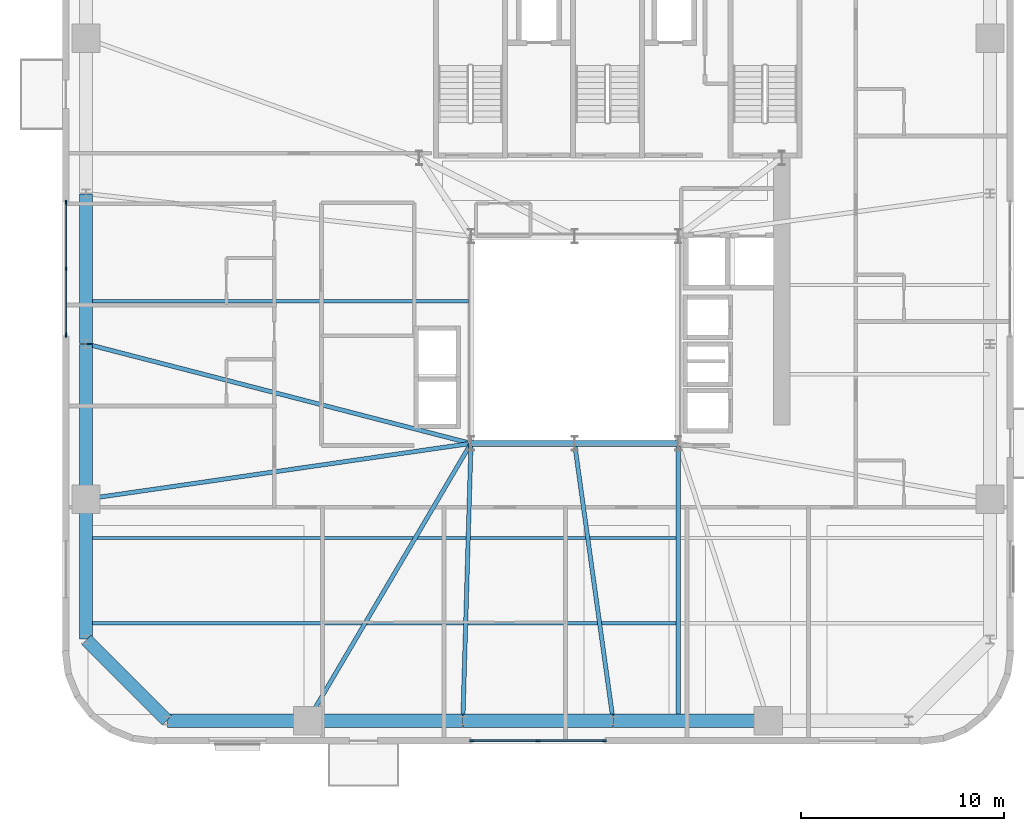
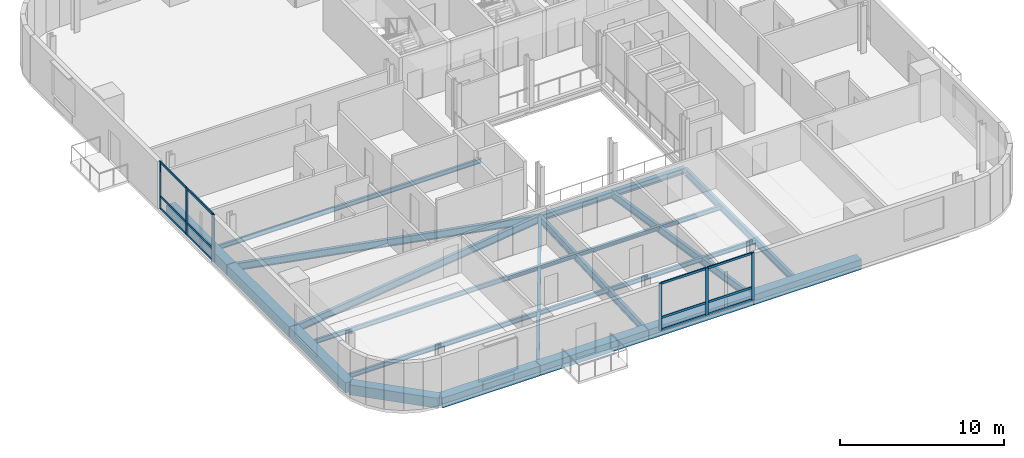
# One storey, part 3 of 16: 19 beams, 18 members, 2 elements without a shape of their own.
"""IFC4 building model written with IfcOpenShell, lengths in metres."""

from ifc_helpers import new_model, si_unit, direction, frame, origin, origin_2d, place, context, subcontext, project, spatial, rectangle, i_section, extrude, source, transform, mapped, material, material_profile, profile_set, type_object, element, aggregate, save


model = new_model("IFC4")

# Units and contexts
model_context = context("Model", 3, precision=1e-05, world=origin(), true_north=direction((0.0, 1.0)))
body_context = subcontext(model_context, "Body", "Model", "MODEL_VIEW")
ifc_project = project(units=[si_unit("LENGTHUNIT", "METRE"), si_unit("AREAUNIT", "SQUARE_METRE"), si_unit("VOLUMEUNIT", "CUBIC_METRE"), si_unit("PLANEANGLEUNIT", "RADIAN"), si_unit("MASSUNIT", "GRAM", prefix="KILO")], contexts=[model_context])

# Site, building, storey
site_placement = place(None, origin())
site = spatial("IfcSite", under=ifc_project, at=site_placement, CompositionType="ELEMENT")
building_placement = place(site_placement, origin())
building = spatial("IfcBuilding", under=site, at=building_placement, Name="Vardaveli Station Tower", CompositionType="ELEMENT")
storey_placement = place(building_placement, frame((0.0, 0.0, 203.550048828125)))
storey = spatial("IfcBuildingStorey", under=building, at=storey_placement, Name="L52", CompositionType="ELEMENT", Elevation=203.550048828125)

# Beams
ifc_material_1 = material(Name="Structural steel S355J2", Category="steel")
ifc_material_profile_1 = material_profile(ifc_material_1, i_section(OverallWidth=0.300048828125, OverallDepth=0.449951171875, WebThickness=0.013916015625, FlangeThickness=0.02587890625, FilletRadius=0.027099609375, at=origin_2d()), Name="HEB 450")
ifc_profile_set_1 = profile_set([ifc_material_profile_1], Name="Structural steel S355J2")
beam_type_1 = type_object("IfcBeamType", Name="BM-HEB450", PredefinedType="BEAM", material=ifc_profile_set_1)
shared_shape_1 = source(origin(), body_context, "Body", "SweptSolid", [
    extrude(i_section(OverallWidth=0.300048828125, OverallDepth=0.449951171875, WebThickness=0.013916015625, FlangeThickness=0.02587890625, FilletRadius=0.027099609375, at=origin_2d()), origin(), (0.0, 0.0, 1.0), 5.06005859375),
])
beam_1_placement = place(storey_placement, frame((31.219970703125, 16.60009765625, -0.445068359375), z_axis=(1.0, 0.0, 0.0), x_axis=(0.0, 1.0, 0.0)))
element("IfcBeam", 1, at=beam_1_placement, inside=storey, type_object=beam_type_1, Name="ABM-L52-01", PredefinedType="BEAM", context=body_context, shape_type="MappedRepresentation", body=[
    mapped(shared_shape_1, transform((0.0, 0.0, 0.0), scale=1.0)),
])
shared_shape_2 = source(origin(), body_context, "Body", "SweptSolid", [
    extrude(i_section(OverallWidth=0.300048828125, OverallDepth=0.449951171875, WebThickness=0.013916015625, FlangeThickness=0.02587890625, FilletRadius=0.027099609375, at=origin_2d()), origin(), (0.0, 0.0, 1.0), 5.059814453125),
])
beam_2_placement = place(storey_placement, frame((36.320068359375, 16.60009765625, -0.445068359375), z_axis=(1.0, 0.0, 0.0), x_axis=(0.0, 1.0, 0.0)))
element("IfcBeam", 2, at=beam_2_placement, inside=storey, type_object=beam_type_1, Name="ABM-L52-02", PredefinedType="BEAM", context=body_context, shape_type="MappedRepresentation", body=[
    mapped(shared_shape_2, transform((0.0, 0.0, 0.0), scale=1.0)),
])
ifc_material_2 = material(Name="Precast concrete C45/55", Category="concrete")
ifc_material_profile_2 = material_profile(ifc_material_2, rectangle(XDim=0.64990234375, YDim=0.75, at=origin_2d()), Name="LPB 650x750")
ifc_profile_set_2 = profile_set([ifc_material_profile_2], Name="Precast concrete C45/55")
beam_type_2 = type_object("IfcBeamType", Name="BM-LPB-750", PredefinedType="BEAM", material=ifc_profile_set_2)
shared_shape_3 = source(origin(), body_context, "Body", "SweptSolid", [
    extrude(rectangle(XDim=0.64990234375, YDim=0.75, at=origin_2d()), origin(), (0.0, 0.0, 1.0), 7.60009765625),
])
for number, where, z_axis, x_axis, name in (
    (3, (23.179931640625, 2.949951171875, -0.594970703125), (1.0, 0.0, 0.0), (0.0, 1.0, 0.0), "RBM-L52-01"),
    (4, (38.219970703125, 2.949951171875, -0.594970703125), (1.0, 0.0, 0.0), (0.0, 1.0, 0.0), "RBM-L52-03"),
    (5, (12.25, 21.47998046875, -0.594970703125), (0.0, -1.0, 0.0), (1.0, 0.0, 0.0), "RBM-L52-21"),
):
    element("IfcBeam", number, at=place(storey_placement, frame(where, z_axis=z_axis, x_axis=x_axis)), inside=storey, type_object=beam_type_2, Name=name, PredefinedType="BEAM", context=body_context, shape_type="MappedRepresentation", body=[
        mapped(shared_shape_3, transform((0.0, 0.0, 0.0), scale=1.0)),
    ])
shared_shape_4 = source(origin(), body_context, "Body", "SweptSolid", [
    extrude(rectangle(XDim=0.64990234375, YDim=0.75, at=origin_2d()), origin(), (0.0, 0.0, 1.0), 7.35986328125),
])
for number, where, z_axis, x_axis, name in (
    (6, (30.820068359375, 2.949951171875, -0.594970703125), (1.0, 0.0, 0.0), (0.0, 1.0, 0.0), "RBM-L52-02"),
    (7, (12.25, 28.8798828125, -0.594970703125), (0.0, -1.0, 0.0), (1.0, 0.0, 0.0), "RBM-L52-20"),
):
    element("IfcBeam", number, at=place(storey_placement, frame(where, z_axis=z_axis, x_axis=x_axis)), inside=storey, type_object=beam_type_2, Name=name, PredefinedType="BEAM", context=body_context, shape_type="MappedRepresentation", body=[
        mapped(shared_shape_4, transform((0.0, 0.0, 0.0), scale=1.0)),
    ])
shared_shape_5 = source(origin(), body_context, "Body", "SweptSolid", [
    extrude(rectangle(XDim=0.64990234375, YDim=0.75, at=origin_2d()), origin(), (0.0, 0.0, 1.0), 6.869873046875),
])
beam_3_placement = place(storey_placement, frame((16.27001953125, 2.949951171875, -0.594970703125), z_axis=(1.0, 0.0, 0.0), x_axis=(0.0, 1.0, 0.0)))
element("IfcBeam", 8, at=beam_3_placement, inside=storey, type_object=beam_type_2, Name="RBM-L52-24", PredefinedType="BEAM", context=body_context, shape_type="MappedRepresentation", body=[
    mapped(shared_shape_5, transform((0.0, 0.0, 0.0), scale=1.0)),
])
shared_shape_6 = source(origin(), body_context, "Body", "SweptSolid", [
    extrude(rectangle(XDim=0.64990234375, YDim=0.75, at=origin_2d()), origin(), (0.0, 0.0, 1.0), 5.61669921875),
])
beam_4_placement = place(storey_placement, frame((12.26416015625, 6.935791015625, -0.594970703125), z_axis=(0.707106781187, -0.707106781187, 0.0), x_axis=(0.707106781187, 0.707106781187, 0.0)))
element("IfcBeam", 9, at=beam_4_placement, inside=storey, type_object=beam_type_2, Name="RBM-L52-23", PredefinedType="BEAM", context=body_context, shape_type="MappedRepresentation", body=[
    mapped(shared_shape_6, transform((0.0, 0.0, 0.0), scale=1.0)),
])
shared_shape_7 = source(origin(), body_context, "Body", "SweptSolid", [
    extrude(rectangle(XDim=0.64990234375, YDim=0.75, at=origin_2d()), origin(), (0.0, 0.0, 1.0), 6.8701171875),
])
beam_5_placement = place(storey_placement, frame((12.25, 13.840087890625, -0.594970703125), z_axis=(0.0, -1.0, 0.0), x_axis=(1.0, 0.0, 0.0)))
element("IfcBeam", 10, at=beam_5_placement, inside=storey, type_object=beam_type_2, Name="RBM-L52-22", PredefinedType="BEAM", context=body_context, shape_type="MappedRepresentation", body=[
    mapped(shared_shape_7, transform((0.0, 0.0, 0.0), scale=1.0)),
])
ifc_material_profile_3 = material_profile(ifc_material_1, i_section(OverallWidth=0.2099609375, OverallDepth=0.550048828125, WebThickness=0.010986328125, FlangeThickness=0.01708984375, FilletRadius=0.02392578125, at=origin_2d()), Name="IPE 550")
ifc_profile_set_3 = profile_set([ifc_material_profile_3], Name="Structural steel S355J2")
beam_type_3 = type_object("IfcBeamType", Name="BM-IPE550", PredefinedType="BEAM", material=ifc_profile_set_3)
shared_shape_8 = source(origin(), body_context, "Body", "SweptSolid", [
    extrude(i_section(OverallWidth=0.2099609375, OverallDepth=0.550048828125, WebThickness=0.010986328125, FlangeThickness=0.01708984375, FilletRadius=0.02392578125, at=origin_2d()), origin(), (0.0, 0.0, 1.0), 13.469970703125),
])
beam_6_placement = place(storey_placement, frame((41.39990234375, 2.989990234375, -0.4951171875), z_axis=(0.0, 1.0, 0.0), x_axis=(-1.0, 0.0, 0.0)))
element("IfcBeam", 11, at=beam_6_placement, inside=storey, type_object=beam_type_3, Name="NSM-L52-S2", PredefinedType="BEAM", context=body_context, shape_type="MappedRepresentation", body=[
    mapped(shared_shape_8, transform((0.0, 0.0, 0.0), scale=1.0)),
])
ifc_material_profile_4 = material_profile(ifc_material_1, i_section(OverallWidth=0.159912109375, OverallDepth=0.330078125, WebThickness=0.007568359375, FlangeThickness=0.011474609375, FilletRadius=0.01806640625, at=origin_2d()), Name="IPE 330")
ifc_profile_set_4 = profile_set([ifc_material_profile_4], Name="Structural steel S355J2")
beam_type_4 = type_object("IfcBeamType", Name="BM-IPE330", PredefinedType="JOIST", material=ifc_profile_set_4)
shared_shape_9 = source(origin(), body_context, "Body", "SweptSolid", [
    extrude(i_section(OverallWidth=0.159912109375, OverallDepth=0.330078125, WebThickness=0.007568359375, FlangeThickness=0.011474609375, FilletRadius=0.01806640625, at=origin_2d()), origin(), (0.0, 0.0, 1.0), 28.998046875),
])
for number, where, z_axis, x_axis, name in (
    (12, (12.2900390625, 7.75, -0.385009765625), (1.0, 0.0, 0.0), (0.0, 1.0, 0.0), "SJ-L52-S01"),
    (13, (12.2900390625, 11.949951171875, -0.385009765625), (1.0, 0.0, 0.0), (0.0, 1.0, 0.0), "SJ-L52-S03"),
):
    element("IfcBeam", number, at=place(storey_placement, frame(where, z_axis=z_axis, x_axis=x_axis)), inside=storey, type_object=beam_type_4, Name=name, PredefinedType="JOIST", context=body_context, shape_type="MappedRepresentation", body=[
        mapped(shared_shape_9, transform((0.0, 0.0, 0.0), scale=1.0)),
    ])
shared_shape_10 = source(origin(), body_context, "Body", "SweptSolid", [
    extrude(i_section(OverallWidth=0.159912109375, OverallDepth=0.330078125, WebThickness=0.007568359375, FlangeThickness=0.011474609375, FilletRadius=0.01806640625, at=origin_2d()), origin(), (0.0, 0.0, 1.0), 18.7978515625),
])
beam_7_placement = place(storey_placement, frame((12.2900390625, 23.60009765625, -0.385009765625), z_axis=(1.0, 0.0, 0.0), x_axis=(0.0, 1.0, 0.0)))
element("IfcBeam", 14, at=beam_7_placement, inside=storey, type_object=beam_type_4, Name="SJ-L52-W06", PredefinedType="JOIST", context=body_context, shape_type="MappedRepresentation", body=[
    mapped(shared_shape_10, transform((0.0, 0.0, 0.0), scale=1.0)),
])
shared_shape_11 = source(origin(), body_context, "Body", "SweptSolid", [
    extrude(i_section(OverallWidth=0.2099609375, OverallDepth=0.550048828125, WebThickness=0.010986328125, FlangeThickness=0.01708984375, FilletRadius=0.02392578125, at=origin_2d()), origin(), (0.0, 0.0, 1.0), 15.8017578125),
])
beam_8_placement = place(storey_placement, frame((23.170166015625, 2.96728515625, -0.4951171875), z_axis=(0.507521713546, 0.86163896748, 0.0), x_axis=(-0.86163896748, 0.507521713546, 0.0)))
element("IfcBeam", 15, at=beam_8_placement, inside=storey, type_object=beam_type_3, Name="GBM-L52-01", PredefinedType="BEAM", context=body_context, shape_type="MappedRepresentation", body=[
    mapped(shared_shape_11, transform((0.0, 0.0, 0.0), scale=1.0)),
])
shared_shape_12 = source(origin(), body_context, "Body", "SweptSolid", [
    extrude(i_section(OverallWidth=0.2099609375, OverallDepth=0.550048828125, WebThickness=0.010986328125, FlangeThickness=0.01708984375, FilletRadius=0.02392578125, at=origin_2d()), origin(), (0.0, 0.0, 1.0), 13.615966796875),
])
beam_9_placement = place(storey_placement, frame((30.800537109375, 2.969970703125, -0.4951171875), z_axis=(0.029298411379, 0.9995707094, 0.0), x_axis=(-0.9995707094, 0.029298411379, 0.0)))
element("IfcBeam", 16, at=beam_9_placement, inside=storey, type_object=beam_type_3, Name="GBM-L52-02", PredefinedType="BEAM", context=body_context, shape_type="MappedRepresentation", body=[
    mapped(shared_shape_12, transform((0.0, 0.0, 0.0), scale=1.0)),
])
shared_shape_13 = source(origin(), body_context, "Body", "SweptSolid", [
    extrude(i_section(OverallWidth=0.2099609375, OverallDepth=0.550048828125, WebThickness=0.010986328125, FlangeThickness=0.01708984375, FilletRadius=0.02392578125, at=origin_2d()), origin(), (0.0, 0.0, 1.0), 13.741455078125),
])
beam_10_placement = place(storey_placement, frame((38.197265625, 2.9697265625, -0.4951171875), z_axis=(-0.137868554024, 0.990450534762, 0.0), x_axis=(-0.990450534762, -0.137868554024, 0.0)))
element("IfcBeam", 17, at=beam_10_placement, inside=storey, type_object=beam_type_3, Name="GBM-L52-03", PredefinedType="BEAM", context=body_context, shape_type="MappedRepresentation", body=[
    mapped(shared_shape_13, transform((0.0, 0.0, 0.0), scale=1.0)),
])
shared_shape_14 = source(origin(), body_context, "Body", "SweptSolid", [
    extrude(i_section(OverallWidth=0.2099609375, OverallDepth=0.550048828125, WebThickness=0.010986328125, FlangeThickness=0.01708984375, FilletRadius=0.02392578125, at=origin_2d()), origin(), (0.0, 0.0, 1.0), 19.533447265625),
])
beam_11_placement = place(storey_placement, frame((12.269287109375, 21.494873046875, -0.4951171875), z_axis=(0.968159081778, -0.250335759272, 0.0), x_axis=(0.250335759272, 0.968159081778, 0.0)))
element("IfcBeam", 18, at=beam_11_placement, inside=storey, type_object=beam_type_3, Name="GBM-L52-09", PredefinedType="BEAM", context=body_context, shape_type="MappedRepresentation", body=[
    mapped(shared_shape_14, transform((0.0, 0.0, 0.0), scale=1.0)),
])
shared_shape_15 = source(origin(), body_context, "Body", "SweptSolid", [
    extrude(i_section(OverallWidth=0.2099609375, OverallDepth=0.550048828125, WebThickness=0.010986328125, FlangeThickness=0.01708984375, FilletRadius=0.02392578125, at=origin_2d()), origin(), (0.0, 0.0, 1.0), 19.107177734375),
])
beam_12_placement = place(storey_placement, frame((12.269775390625, 13.86279296875, -0.4951171875), z_axis=(0.989707072711, 0.143108036903, 0.0), x_axis=(-0.143108036903, 0.989707072711, 0.0)))
element("IfcBeam", 19, at=beam_12_placement, inside=storey, type_object=beam_type_3, Name="GBM-L52-10", PredefinedType="BEAM", context=body_context, shape_type="MappedRepresentation", body=[
    mapped(shared_shape_15, transform((0.0, 0.0, 0.0), scale=1.0)),
])

# Curtain wall, members
ifc_material_3 = material(Name="Travertine stone and solar-control glass", Category="masonry")
curtain_wall_type = type_object("IfcCurtainWallType", Name="CW-SYS-5", PredefinedType="NOTDEFINED", material=ifc_material_3)
curtain_wall_1_placement = place(storey_placement, origin())
curtain_wall_1 = element("IfcCurtainWall", 20, at=curtain_wall_1_placement, inside=storey, type_object=curtain_wall_type, Name="CW-L52-S", PredefinedType="NOTDEFINED")
ifc_material_4 = material(Name="Anodised aluminium alloy 6063-T6", Category="aluminium")
ifc_material_profile_5 = material_profile(ifc_material_4, rectangle(XDim=0.080078125, YDim=0.1650390625, at=origin_2d()), Name="CWT 80x165")
ifc_profile_set_5 = profile_set([ifc_material_profile_5], Name="Anodised aluminium alloy 6063-T6")
member_type_1 = type_object("IfcMemberType", Name="CW-SYS-5-TRAN", PredefinedType="NOTDEFINED", material=ifc_profile_set_5)
shared_shape_16 = source(origin(), body_context, "Body", "SweptSolid", [
    extrude(rectangle(XDim=0.080078125, YDim=0.1650390625, at=origin_2d()), origin(), (0.0, 0.0, 1.0), 3.179931640625),
])
member_1_placement = place(storey_placement, frame((31.280029296875, 1.9599609375, 0.0400390625), z_axis=(1.0, 0.0, 0.0), x_axis=(0.0, 1.0, 0.0)))
member_1 = element("IfcMember", 21, at=member_1_placement, type_object=member_type_1, Name="CW-5 transom 1.1", ObjectType="TRANSOM", PredefinedType="USERDEFINED", context=body_context, shape_type="MappedRepresentation", body=[
    mapped(shared_shape_16, transform((0.0, 0.0, 0.0), scale=1.0)),
])
member_2_placement = place(storey_placement, frame((31.280029296875, 1.9599609375, 0.949951171875), z_axis=(1.0, 0.0, 0.0), x_axis=(0.0, 1.0, 0.0)))
member_2 = element("IfcMember", 22, at=member_2_placement, type_object=member_type_1, Name="CW-5 transom 1.2", ObjectType="TRANSOM", PredefinedType="USERDEFINED", context=body_context, shape_type="MappedRepresentation", body=[
    mapped(shared_shape_16, transform((0.0, 0.0, 0.0), scale=1.0)),
])
member_3_placement = place(storey_placement, frame((31.280029296875, 1.9599609375, 3.489990234375), z_axis=(1.0, 0.0, 0.0), x_axis=(0.0, 1.0, 0.0)))
member_3 = element("IfcMember", 23, at=member_3_placement, type_object=member_type_1, Name="CW-5 transom 1.3", ObjectType="TRANSOM", PredefinedType="USERDEFINED", context=body_context, shape_type="MappedRepresentation", body=[
    mapped(shared_shape_16, transform((0.0, 0.0, 0.0), scale=1.0)),
])
member_4_placement = place(storey_placement, frame((34.5400390625, 1.9599609375, 0.0400390625), z_axis=(1.0, 0.0, 0.0), x_axis=(0.0, 1.0, 0.0)))
member_4 = element("IfcMember", 24, at=member_4_placement, type_object=member_type_1, Name="CW-5 transom 2.1", ObjectType="TRANSOM", PredefinedType="USERDEFINED", context=body_context, shape_type="MappedRepresentation", body=[
    mapped(shared_shape_16, transform((0.0, 0.0, 0.0), scale=1.0)),
])
member_5_placement = place(storey_placement, frame((34.5400390625, 1.9599609375, 0.949951171875), z_axis=(1.0, 0.0, 0.0), x_axis=(0.0, 1.0, 0.0)))
member_5 = element("IfcMember", 25, at=member_5_placement, type_object=member_type_1, Name="CW-5 transom 2.2", ObjectType="TRANSOM", PredefinedType="USERDEFINED", context=body_context, shape_type="MappedRepresentation", body=[
    mapped(shared_shape_16, transform((0.0, 0.0, 0.0), scale=1.0)),
])
member_6_placement = place(storey_placement, frame((34.5400390625, 1.9599609375, 3.489990234375), z_axis=(1.0, 0.0, 0.0), x_axis=(0.0, 1.0, 0.0)))
member_6 = element("IfcMember", 26, at=member_6_placement, type_object=member_type_1, Name="CW-5 transom 2.3", ObjectType="TRANSOM", PredefinedType="USERDEFINED", context=body_context, shape_type="MappedRepresentation", body=[
    mapped(shared_shape_16, transform((0.0, 0.0, 0.0), scale=1.0)),
])

curtain_wall_2_placement = place(storey_placement, origin())
curtain_wall_2 = element("IfcCurtainWall", 27, at=curtain_wall_2_placement, inside=storey, type_object=curtain_wall_type, Name="CW-L52-W", PredefinedType="NOTDEFINED")
member_7_placement = place(storey_placement, frame((11.260009765625, 28.419921875, 0.0400390625), z_axis=(0.0, -1.0, 0.0), x_axis=(1.0, 0.0, 0.0)))
member_7 = element("IfcMember", 28, at=member_7_placement, type_object=member_type_1, Name="CW-5 transom 1.1", ObjectType="TRANSOM", PredefinedType="USERDEFINED", context=body_context, shape_type="MappedRepresentation", body=[
    mapped(shared_shape_16, transform((0.0, 0.0, 0.0), scale=1.0)),
])
member_8_placement = place(storey_placement, frame((11.260009765625, 28.419921875, 0.949951171875), z_axis=(0.0, -1.0, 0.0), x_axis=(1.0, 0.0, 0.0)))
member_8 = element("IfcMember", 29, at=member_8_placement, type_object=member_type_1, Name="CW-5 transom 1.2", ObjectType="TRANSOM", PredefinedType="USERDEFINED", context=body_context, shape_type="MappedRepresentation", body=[
    mapped(shared_shape_16, transform((0.0, 0.0, 0.0), scale=1.0)),
])
member_9_placement = place(storey_placement, frame((11.260009765625, 28.419921875, 3.489990234375), z_axis=(0.0, -1.0, 0.0), x_axis=(1.0, 0.0, 0.0)))
member_9 = element("IfcMember", 30, at=member_9_placement, type_object=member_type_1, Name="CW-5 transom 1.3", ObjectType="TRANSOM", PredefinedType="USERDEFINED", context=body_context, shape_type="MappedRepresentation", body=[
    mapped(shared_shape_16, transform((0.0, 0.0, 0.0), scale=1.0)),
])
member_10_placement = place(storey_placement, frame((11.260009765625, 25.159912109375, 0.0400390625), z_axis=(0.0, -1.0, 0.0), x_axis=(1.0, 0.0, 0.0)))
member_10 = element("IfcMember", 31, at=member_10_placement, type_object=member_type_1, Name="CW-5 transom 2.1", ObjectType="TRANSOM", PredefinedType="USERDEFINED", context=body_context, shape_type="MappedRepresentation", body=[
    mapped(shared_shape_16, transform((0.0, 0.0, 0.0), scale=1.0)),
])
member_11_placement = place(storey_placement, frame((11.260009765625, 25.159912109375, 0.949951171875), z_axis=(0.0, -1.0, 0.0), x_axis=(1.0, 0.0, 0.0)))
member_11 = element("IfcMember", 32, at=member_11_placement, type_object=member_type_1, Name="CW-5 transom 2.2", ObjectType="TRANSOM", PredefinedType="USERDEFINED", context=body_context, shape_type="MappedRepresentation", body=[
    mapped(shared_shape_16, transform((0.0, 0.0, 0.0), scale=1.0)),
])
member_12_placement = place(storey_placement, frame((11.260009765625, 25.159912109375, 3.489990234375), z_axis=(0.0, -1.0, 0.0), x_axis=(1.0, 0.0, 0.0)))
member_12 = element("IfcMember", 33, at=member_12_placement, type_object=member_type_1, Name="CW-5 transom 2.3", ObjectType="TRANSOM", PredefinedType="USERDEFINED", context=body_context, shape_type="MappedRepresentation", body=[
    mapped(shared_shape_16, transform((0.0, 0.0, 0.0), scale=1.0)),
])

# Member
ifc_material_profile_6 = material_profile(ifc_material_4, rectangle(XDim=0.080078125, YDim=0.205078125, at=origin_2d()), Name="CWM 80x205")
ifc_profile_set_6 = profile_set([ifc_material_profile_6], Name="Anodised aluminium alloy 6063-T6")
member_type_2 = type_object("IfcMemberType", Name="CW-SYS-5-MULL", PredefinedType="MULLION", material=ifc_profile_set_6)
shared_shape_17 = source(origin(), body_context, "Body", "SweptSolid", [
    extrude(rectangle(XDim=0.080078125, YDim=0.205078125, at=origin_2d()), origin(), (0.0, 0.0, 1.0), 3.530029296875),
])
member_13_placement = place(storey_placement, frame((31.239990234375, 1.9599609375, 0.0), z_axis=(0.0, 0.0, 1.0), x_axis=(0.0, 1.0, 0.0)))
member_13 = element("IfcMember", 34, at=member_13_placement, type_object=member_type_2, Name="CW-5 mullion 1", PredefinedType="MULLION", context=body_context, shape_type="MappedRepresentation", body=[
    mapped(shared_shape_17, transform((0.0, 0.0, 0.0), scale=1.0)),
])

member_14_placement = place(storey_placement, frame((34.5, 1.9599609375, 0.0), z_axis=(0.0, 0.0, 1.0), x_axis=(0.0, 1.0, 0.0)))
member_14 = element("IfcMember", 35, at=member_14_placement, type_object=member_type_2, Name="CW-5 mullion 2", PredefinedType="MULLION", context=body_context, shape_type="MappedRepresentation", body=[
    mapped(shared_shape_17, transform((0.0, 0.0, 0.0), scale=1.0)),
])

member_15_placement = place(storey_placement, frame((37.760009765625, 1.9599609375, 0.0), z_axis=(0.0, 0.0, 1.0), x_axis=(0.0, 1.0, 0.0)))
member_15 = element("IfcMember", 36, at=member_15_placement, type_object=member_type_2, Name="CW-5 mullion 3", PredefinedType="MULLION", context=body_context, shape_type="MappedRepresentation", body=[
    mapped(shared_shape_17, transform((0.0, 0.0, 0.0), scale=1.0)),
])

aggregate(curtain_wall_1, [member_13, member_14, member_15, member_1, member_2, member_3, member_4, member_5, member_6])

member_16_placement = place(storey_placement, frame((11.260009765625, 28.4599609375, 0.0), z_axis=(0.0, 0.0, 1.0), x_axis=(1.0, 0.0, 0.0)))
member_16 = element("IfcMember", 37, at=member_16_placement, type_object=member_type_2, Name="CW-5 mullion 1", PredefinedType="MULLION", context=body_context, shape_type="MappedRepresentation", body=[
    mapped(shared_shape_17, transform((0.0, 0.0, 0.0), scale=1.0)),
])

member_17_placement = place(storey_placement, frame((11.260009765625, 25.199951171875, 0.0), z_axis=(0.0, 0.0, 1.0), x_axis=(1.0, 0.0, 0.0)))
member_17 = element("IfcMember", 38, at=member_17_placement, type_object=member_type_2, Name="CW-5 mullion 2", PredefinedType="MULLION", context=body_context, shape_type="MappedRepresentation", body=[
    mapped(shared_shape_17, transform((0.0, 0.0, 0.0), scale=1.0)),
])

member_18_placement = place(storey_placement, frame((11.260009765625, 21.93994140625, 0.0), z_axis=(0.0, 0.0, 1.0), x_axis=(1.0, 0.0, 0.0)))
member_18 = element("IfcMember", 39, at=member_18_placement, type_object=member_type_2, Name="CW-5 mullion 3", PredefinedType="MULLION", context=body_context, shape_type="MappedRepresentation", body=[
    mapped(shared_shape_17, transform((0.0, 0.0, 0.0), scale=1.0)),
])

aggregate(curtain_wall_2, [member_16, member_17, member_18, member_7, member_8, member_9, member_10, member_11, member_12])

save(model, "model.ifc")
